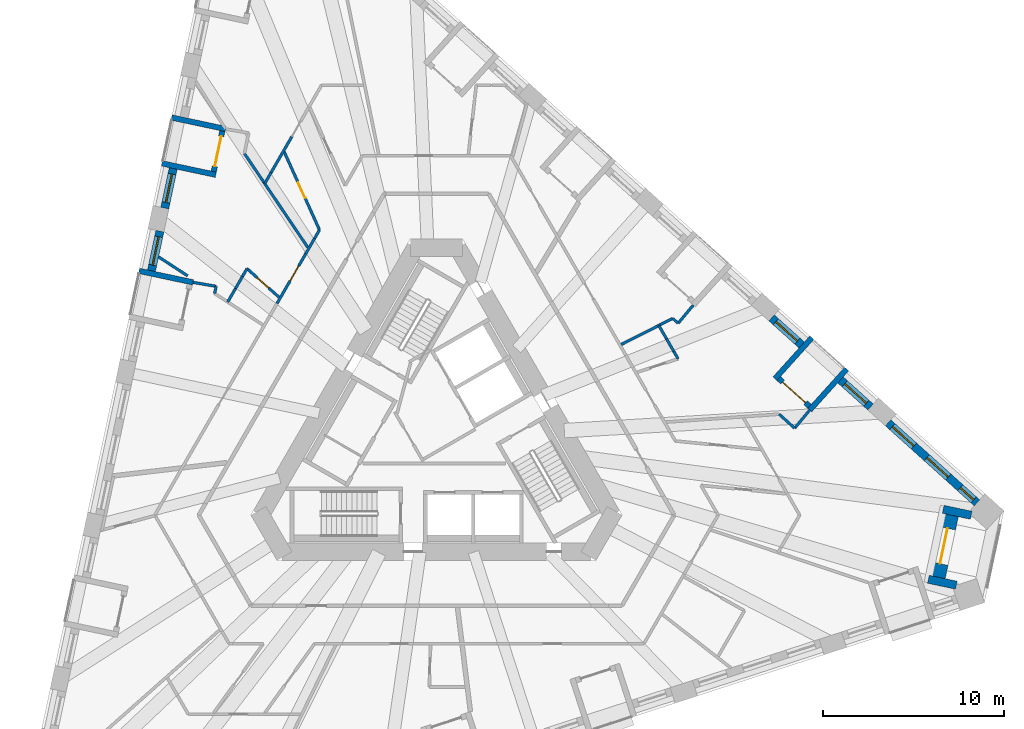
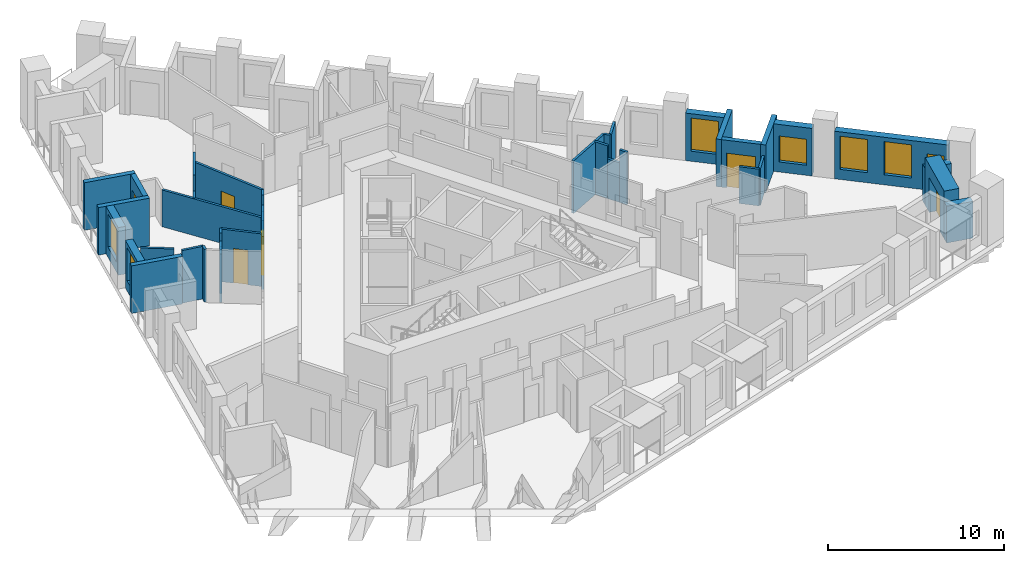
# One storey, part 7 of 13: 37 walls, 7 windows, 6 doors, 13 openings.
"""IFC4 building model written with IfcOpenShell, lengths in metres."""

from ifc_helpers import new_model, si_unit, direction, frame, frame_2d, origin, place, context, subcontext, project, spatial, rectangle, extrude, material, layer, layer_set, type_object, element, fill, save


model = new_model("IFC4")

# Units and contexts
model_context = context("Model", 3, precision=1e-05, world=origin(), true_north=direction((0.0, 1.0)))
body_context = subcontext(model_context, "Body", "Model", "MODEL_VIEW")
ifc_project = project(units=[si_unit("LENGTHUNIT", "METRE"), si_unit("AREAUNIT", "SQUARE_METRE"), si_unit("VOLUMEUNIT", "CUBIC_METRE"), si_unit("PLANEANGLEUNIT", "RADIAN"), si_unit("MASSUNIT", "GRAM", prefix="KILO")], contexts=[model_context])

# Site, building, storey
site_placement = place(None, origin())
site = spatial("IfcSite", under=ifc_project, at=site_placement, CompositionType="ELEMENT")
building_placement = place(site_placement, origin())
building = spatial("IfcBuilding", under=site, at=building_placement, Name="Tramontana Tower", CompositionType="ELEMENT")
storey_placement = place(building_placement, frame((0.0, 0.0, 108.39990234375)))
storey = spatial("IfcBuildingStorey", under=building, at=storey_placement, Name="L24", CompositionType="ELEMENT", Elevation=108.39990234375)

# Wall, opening, window
ifc_material_1 = material(Name="Precast concrete 60 MPa", Category="concrete")
ifc_layer_1 = layer(ifc_material_1, 0.449951171875)
ifc_layer_set_1 = layer_set([ifc_layer_1], Name="Precast concrete 60 MPa, 450 mm")
wall_type_1 = type_object("IfcWallType", Name="EW1 Stone-faced precast wall 450", PredefinedType="SOLIDWALL", material=ifc_layer_set_1)
wall_1_placement = place(storey_placement, frame((-14.545654296875, 14.896728515625, 0.0), z_axis=(0.0, 0.0, 1.0), x_axis=(-0.207941001029, -0.978141370197, 0.0)))
wall_1 = element("IfcWall", 1, at=wall_1_placement, inside=storey, type_object=wall_type_1, Name="External wall L24 face 0 bay 2", PredefinedType="SOLIDWALL", context=body_context, shape_type="SweptSolid", body=[
    extrude(rectangle(XDim=2.236572265625, YDim=0.449951171875, at=frame_2d((1.1181640625, 0.0))), origin(), (0.0, 0.0, 1.0), 3.300048828125),
])
opening_1_placement = place(wall_1_placement, frame((0.318359375, 0.0, 0.699951171875)))
opening_1 = element("IfcOpeningElement", 2, at=opening_1_placement, cuts=wall_1, Name="Opening M1", PredefinedType="OPENING", context=body_context, shape_type="SweptSolid", body=[
    extrude(rectangle(XDim=1.60009765625, YDim=2.300048828125, at=frame_2d((0.800048828125, 1.14990234375))), frame((0.0, 0.23486328125, 0.0), z_axis=(0.0, -1.0, 0.0), x_axis=(1.0, 0.0, 0.0)), (0.0, 0.0, 1.0), 0.469970703125),
])
ifc_material_2 = material(Name="Aluminum frame, double glazing unit", Category="aluminium")
window_type_1 = type_object("IfcWindowType", Name="M1 Window 1.6 x 2.3", PartitioningType="SINGLE_PANEL", PredefinedType="WINDOW", material=ifc_material_2)
window_1_placement = place(opening_1_placement, origin())
window_1 = element("IfcWindow", 3, at=window_1_placement, inside=storey, type_object=window_type_1, Name="Window M1 L24 face 0 module 6", OverallHeight=2.300048828125, OverallWidth=1.60009765625, PartitioningType="SINGLE_PANEL", PredefinedType="WINDOW", context=body_context, shape_type="SweptSolid", body=[
    extrude(rectangle(XDim=1.60009765625, YDim=2.300048828125, at=frame_2d((0.800048828125, 1.14990234375))), frame((0.0, 0.030029296875, 0.0), z_axis=(0.0, -1.0, 0.0), x_axis=(1.0, 0.0, 0.0)), (0.0, 0.0, 1.0), 0.06005859375),
])
fill(opening_1, window_1)

wall_2_placement = place(storey_placement, frame((-15.281005859375, 11.437255859375, 0.0), z_axis=(0.0, 0.0, 1.0), x_axis=(-0.207941001029, -0.978141370197, 0.0)))
wall_2 = element("IfcWall", 4, at=wall_2_placement, inside=storey, type_object=wall_type_1, Name="External wall L24 face 0 bay 3", PredefinedType="SOLIDWALL", context=body_context, shape_type="SweptSolid", body=[
    extrude(rectangle(XDim=2.236572265625, YDim=0.449951171875, at=frame_2d((1.1181640625, 0.0))), origin(), (0.0, 0.0, 1.0), 3.300048828125),
])
opening_2_placement = place(wall_2_placement, frame((0.318359375, 0.0, 0.699951171875)))
opening_2 = element("IfcOpeningElement", 5, at=opening_2_placement, cuts=wall_2, Name="Opening M1", PredefinedType="OPENING", context=body_context, shape_type="SweptSolid", body=[
    extrude(rectangle(XDim=1.60009765625, YDim=2.300048828125, at=frame_2d((0.800048828125, 1.14990234375))), frame((0.0, 0.23486328125, 0.0), z_axis=(0.0, -1.0, 0.0), x_axis=(1.0, 0.0, 0.0)), (0.0, 0.0, 1.0), 0.469970703125),
])
window_2_placement = place(opening_2_placement, origin())
window_2 = element("IfcWindow", 6, at=window_2_placement, inside=storey, type_object=window_type_1, Name="Window M1 L24 face 0 module 7", OverallHeight=2.300048828125, OverallWidth=1.60009765625, PartitioningType="SINGLE_PANEL", PredefinedType="WINDOW", context=body_context, shape_type="SweptSolid", body=[
    extrude(rectangle(XDim=1.60009765625, YDim=2.300048828125, at=frame_2d((0.800048828125, 1.14990234375))), frame((0.0, 0.030029296875, 0.0), z_axis=(0.0, -1.0, 0.0), x_axis=(1.0, 0.0, 0.0)), (0.0, 0.0, 1.0), 0.06005859375),
])
fill(opening_2, window_2)

# Wall, openings, windows
wall_3_placement = place(storey_placement, frame((29.85986328125, -3.57275390625, 0.0), z_axis=(0.0, 0.0, 1.0), x_axis=(-0.743161908204, 0.669111633582, 0.0)))
wall_3 = element("IfcWall", 7, at=wall_3_placement, inside=storey, type_object=wall_type_1, Name="External wall L24 face 2 bay 1", PredefinedType="SOLIDWALL", context=body_context, shape_type="SweptSolid", body=[
    extrude(rectangle(XDim=6.6103515625, YDim=0.449951171875, at=frame_2d((3.30517578125, 0.0))), origin(), (0.0, 0.0, 1.0), 3.300048828125),
])
opening_3_placement = place(wall_3_placement, frame((0.243408203125, 0.0, 0.699951171875)))
opening_3 = element("IfcOpeningElement", 8, at=opening_3_placement, cuts=wall_3, Name="Opening N1L", PredefinedType="OPENING", context=body_context, shape_type="SweptSolid", body=[
    extrude(rectangle(XDim=1.0, YDim=1.800048828125, at=frame_2d((0.5, 0.89990234375))), frame((0.0, 0.23486328125, 0.0), z_axis=(0.0, -1.0, 0.0), x_axis=(1.0, 0.0, 0.0)), (0.0, 0.0, 1.0), 0.469970703125),
])
opening_4_placement = place(wall_3_placement, frame((2.130126953125, 0.0, 0.699951171875)))
opening_4 = element("IfcOpeningElement", 9, at=opening_4_placement, cuts=wall_3, Name="Opening M1", PredefinedType="OPENING", context=body_context, shape_type="SweptSolid", body=[
    extrude(rectangle(XDim=1.60009765625, YDim=2.300048828125, at=frame_2d((0.800048828125, 1.14990234375))), frame((0.0, 0.23486328125, 0.0), z_axis=(0.0, -1.0, 0.0), x_axis=(1.0, 0.0, 0.0)), (0.0, 0.0, 1.0), 0.469970703125),
])
opening_5_placement = place(wall_3_placement, frame((4.69189453125, 0.0, 0.699951171875)))
opening_5 = element("IfcOpeningElement", 10, at=opening_5_placement, cuts=wall_3, Name="Opening M1", PredefinedType="OPENING", context=body_context, shape_type="SweptSolid", body=[
    extrude(rectangle(XDim=1.60009765625, YDim=2.300048828125, at=frame_2d((0.800048828125, 1.14990234375))), frame((0.0, 0.23486328125, 0.0), z_axis=(0.0, -1.0, 0.0), x_axis=(1.0, 0.0, 0.0)), (0.0, 0.0, 1.0), 0.469970703125),
])
window_3_placement = place(opening_4_placement, origin())
window_3 = element("IfcWindow", 11, at=window_3_placement, inside=storey, type_object=window_type_1, Name="Window M1 L24 face 2 module 2", OverallHeight=2.300048828125, OverallWidth=1.60009765625, PartitioningType="SINGLE_PANEL", PredefinedType="WINDOW", context=body_context, shape_type="SweptSolid", body=[
    extrude(rectangle(XDim=1.60009765625, YDim=2.300048828125, at=frame_2d((0.800048828125, 1.14990234375))), frame((0.0, 0.030029296875, 0.0), z_axis=(0.0, -1.0, 0.0), x_axis=(1.0, 0.0, 0.0)), (0.0, 0.0, 1.0), 0.06005859375),
])
fill(opening_4, window_3)
window_4_placement = place(opening_5_placement, origin())
window_4 = element("IfcWindow", 12, at=window_4_placement, inside=storey, type_object=window_type_1, Name="Window M1 L24 face 2 module 3", OverallHeight=2.300048828125, OverallWidth=1.60009765625, PartitioningType="SINGLE_PANEL", PredefinedType="WINDOW", context=body_context, shape_type="SweptSolid", body=[
    extrude(rectangle(XDim=1.60009765625, YDim=2.300048828125, at=frame_2d((0.800048828125, 1.14990234375))), frame((0.0, 0.030029296875, 0.0), z_axis=(0.0, -1.0, 0.0), x_axis=(1.0, 0.0, 0.0)), (0.0, 0.0, 1.0), 0.06005859375),
])
fill(opening_5, window_4)
ifc_material_3 = material(Name="Aluminum frame, double glazing unit", Category="aluminium")
window_type_2 = type_object("IfcWindowType", Name="N1L Window 1 x 1.8", PartitioningType="SINGLE_PANEL", PredefinedType="WINDOW", material=ifc_material_3)
window_5_placement = place(opening_3_placement, origin())
window_5 = element("IfcWindow", 13, at=window_5_placement, inside=storey, type_object=window_type_2, Name="Window N1L L24 face 2 module 1", OverallHeight=1.800048828125, OverallWidth=1.0, PartitioningType="SINGLE_PANEL", PredefinedType="WINDOW", context=body_context, shape_type="SweptSolid", body=[
    extrude(rectangle(XDim=1.0, YDim=1.800048828125, at=frame_2d((0.5, 0.89990234375))), frame((0.0, 0.030029296875, 0.0), z_axis=(0.0, -1.0, 0.0), x_axis=(1.0, 0.0, 0.0)), (0.0, 0.0, 1.0), 0.06005859375),
])
fill(opening_3, window_5)

# Wall, opening, window
wall_4_placement = place(storey_placement, frame((23.981201171875, 1.72021484375, 0.0), z_axis=(0.0, 0.0, 1.0), x_axis=(-0.743142151309, 0.669133576311, 0.0)))
wall_4 = element("IfcWall", 14, at=wall_4_placement, inside=storey, type_object=wall_type_1, Name="External wall L24 face 2 bay 2", PredefinedType="SOLIDWALL", context=body_context, shape_type="SweptSolid", body=[
    extrude(rectangle(XDim=2.236572265625, YDim=0.449951171875, at=frame_2d((1.1181640625, 0.0))), origin(), (0.0, 0.0, 1.0), 3.300048828125),
])
opening_6_placement = place(wall_4_placement, frame((0.318359375, 0.0, 0.699951171875)))
opening_6 = element("IfcOpeningElement", 15, at=opening_6_placement, cuts=wall_4, Name="Opening M1L", PredefinedType="OPENING", context=body_context, shape_type="SweptSolid", body=[
    extrude(rectangle(XDim=1.60009765625, YDim=1.800048828125, at=frame_2d((0.800048828125, 0.89990234375))), frame((0.0, 0.23486328125, 0.0), z_axis=(0.0, -1.0, 0.0), x_axis=(1.0, 0.0, 0.0)), (0.0, 0.0, 1.0), 0.469970703125),
])
ifc_material_4 = material(Name="Aluminum frame, double glazing unit", Category="aluminium")
window_type_3 = type_object("IfcWindowType", Name="M1L Window 1.6 x 1.8", PartitioningType="SINGLE_PANEL", PredefinedType="WINDOW", material=ifc_material_4)
window_6_placement = place(opening_6_placement, origin())
window_6 = element("IfcWindow", 16, at=window_6_placement, inside=storey, type_object=window_type_3, Name="Window M1L L24 face 2 module 4", OverallHeight=1.800048828125, OverallWidth=1.60009765625, PartitioningType="SINGLE_PANEL", PredefinedType="WINDOW", context=body_context, shape_type="SweptSolid", body=[
    extrude(rectangle(XDim=1.60009765625, YDim=1.800048828125, at=frame_2d((0.800048828125, 0.89990234375))), frame((0.0, 0.030029296875, 0.0), z_axis=(0.0, -1.0, 0.0), x_axis=(1.0, 0.0, 0.0)), (0.0, 0.0, 1.0), 0.06005859375),
])
fill(opening_6, window_6)

wall_5_placement = place(storey_placement, frame((20.173828125, 5.1484375, 0.0), z_axis=(0.0, 0.0, 1.0), x_axis=(-0.743136746477, 0.669139578889, 0.0)))
wall_5 = element("IfcWall", 17, at=wall_5_placement, inside=storey, type_object=wall_type_1, Name="External wall L24 face 2 bay 2", PredefinedType="SOLIDWALL", context=body_context, shape_type="SweptSolid", body=[
    extrude(rectangle(XDim=2.237060546875, YDim=0.449951171875, at=frame_2d((1.11865234375, 0.0))), origin(), (0.0, 0.0, 1.0), 3.300048828125),
])
opening_7_placement = place(wall_5_placement, frame((0.318359375, 0.0, 0.699951171875)))
opening_7 = element("IfcOpeningElement", 18, at=opening_7_placement, cuts=wall_5, Name="Opening M1", PredefinedType="OPENING", context=body_context, shape_type="SweptSolid", body=[
    extrude(rectangle(XDim=1.60009765625, YDim=2.300048828125, at=frame_2d((0.800048828125, 1.14990234375))), frame((0.0, 0.23486328125, 0.0), z_axis=(0.0, -1.0, 0.0), x_axis=(1.0, 0.0, 0.0)), (0.0, 0.0, 1.0), 0.469970703125),
])
window_7_placement = place(opening_7_placement, origin())
window_7 = element("IfcWindow", 19, at=window_7_placement, inside=storey, type_object=window_type_1, Name="Window M1 L24 face 2 module 6", OverallHeight=2.300048828125, OverallWidth=1.60009765625, PartitioningType="SINGLE_PANEL", PredefinedType="WINDOW", context=body_context, shape_type="SweptSolid", body=[
    extrude(rectangle(XDim=1.60009765625, YDim=2.300048828125, at=frame_2d((0.800048828125, 1.14990234375))), frame((0.0, 0.030029296875, 0.0), z_axis=(0.0, -1.0, 0.0), x_axis=(1.0, 0.0, 0.0)), (0.0, 0.0, 1.0), 0.06005859375),
])
fill(opening_7, window_7)

# Walls
for number, where, z_axis, x_axis, name in (
    (20, (29.5390625, -4.259521484375, 0.0), (0.0, 0.0, 1.0), (-0.978142738706, 0.207934563547, 0.0), "Corner loggia side wall L24 K22l"),
    (21, (28.7177734375, -8.123291015625, 0.0), (0.0, 0.0, 1.0), (-0.978142738706, 0.207934563547, 0.0), "Corner loggia side wall L24 K22r"),
):
    element("IfcWall", number, at=place(storey_placement, frame(where, z_axis=z_axis, x_axis=x_axis)), inside=storey, type_object=wall_type_1, Name=name, PredefinedType="SOLIDWALL", context=body_context, shape_type="SweptSolid", body=[
        extrude(rectangle(XDim=1.5791015625, YDim=0.449951171875, at=frame_2d((0.78955078125, 0.0))), origin(), (0.0, 0.0, 1.0), 2.550048828125),
    ])

# Wall, opening, door
ifc_material_5 = material(Name="Precast concrete 60 MPa", Category="concrete")
ifc_layer_2 = layer(ifc_material_5, 0.89990234375)
ifc_layer_set_2 = layer_set([ifc_layer_2], Name="EW2 Stone-faced corner loggia wall 900")
wall_type_2 = type_object("IfcWallType", Name="EW2 Stone-faced corner loggia wall 900", PredefinedType="SOLIDWALL", material=ifc_layer_set_2)
wall_6_placement = place(storey_placement, frame((28.3876953125, -4.244873046875, 0.0), z_axis=(0.0, 0.0, 1.0), x_axis=(-0.207866264069, -0.978157255385, 0.0)))
wall_6 = element("IfcWall", 22, at=wall_6_placement, inside=storey, type_object=wall_type_2, Name="Corner loggia wall L24 K22", PredefinedType="SOLIDWALL", context=body_context, shape_type="SweptSolid", body=[
    extrude(rectangle(XDim=3.5, YDim=0.89990234375, at=frame_2d((1.75, 0.0))), origin(), (0.0, 0.0, 1.0), 3.300048828125),
])
opening_8_placement = place(wall_6_placement, frame((0.75, 0.0, 0.0)))
opening_8 = element("IfcOpeningElement", 23, at=opening_8_placement, cuts=wall_6, Name="Opening BD-22C", PredefinedType="OPENING", context=body_context, shape_type="SweptSolid", body=[
    extrude(rectangle(XDim=2.0, YDim=2.39990234375, at=frame_2d((1.0, 1.199951171875))), frame((0.0, 0.4599609375, 0.0), z_axis=(0.0, -1.0, 0.0), x_axis=(1.0, 0.0, 0.0)), (0.0, 0.0, 1.0), 0.919921875),
])
ifc_material_6 = material(Name="Aluminum frame, double glazing unit", Category="aluminium")
door_type_1 = type_object("IfcDoorType", Name="BC1 Sliding door 2 x 2.4", OperationType="SLIDING_TO_LEFT", PredefinedType="DOOR", material=ifc_material_6)
door_1_placement = place(opening_8_placement, origin())
door_1 = element("IfcDoor", 24, at=door_1_placement, inside=storey, type_object=door_type_1, Name="Corner loggia door L24 K22", OperationType="SLIDING_TO_LEFT", OverallHeight=2.39990234375, OverallWidth=2.0, PredefinedType="DOOR", context=body_context, shape_type="SweptSolid", body=[
    extrude(rectangle(XDim=2.0, YDim=2.39990234375, at=frame_2d((1.0, 1.199951171875))), frame((0.0, 0.02490234375, 0.0), z_axis=(0.0, -1.0, 0.0), x_axis=(1.0, 0.0, 0.0)), (0.0, 0.0, 1.0), 0.050048828125),
])
fill(opening_8, door_1)

ifc_material_7 = material(Name="Precast concrete 60 MPa", Category="concrete")
ifc_layer_3 = layer(ifc_material_7, 0.300048828125)
ifc_layer_set_3 = layer_set([ifc_layer_3], Name="LW1 Stone-faced loggia wall 300")
wall_type_3 = type_object("IfcWallType", Name="LW1 Stone-faced loggia wall 300", PredefinedType="SOLIDWALL", material=ifc_layer_set_3)
wall_7_placement = place(storey_placement, frame((-11.83154296875, 16.96435546875, 0.0), z_axis=(0.0, 0.0, 1.0), x_axis=(-0.207866417042, -0.978157222877, 0.0)))
wall_7 = element("IfcWall", 25, at=wall_7_placement, inside=storey, type_object=wall_type_3, Name="Loggia wall L24 G2S0.4", PredefinedType="SOLIDWALL", context=body_context, shape_type="SweptSolid", body=[
    extrude(rectangle(XDim=2.286865234375, YDim=0.300048828125, at=frame_2d((1.1435546875, 0.0))), origin(), (0.0, 0.0, 1.0), 3.300048828125),
])
opening_9_placement = place(wall_7_placement, frame((0.29345703125, 0.0, 0.0)))
opening_9 = element("IfcOpeningElement", 26, at=opening_9_placement, cuts=wall_7, Name="Opening BD-2S0-04", PredefinedType="OPENING", context=body_context, shape_type="SweptSolid", body=[
    extrude(rectangle(XDim=1.699951171875, YDim=2.39990234375, at=frame_2d((0.85009765625, 1.199951171875))), frame((0.0, 0.159912109375, 0.0), z_axis=(0.0, -1.0, 0.0), x_axis=(1.0, 0.0, 0.0)), (0.0, 0.0, 1.0), 0.320068359375),
])
ifc_material_8 = material(Name="Aluminum frame, double glazing unit", Category="aluminium")
door_type_2 = type_object("IfcDoorType", Name="BD1 Sliding door 1.7 x 2.4", OperationType="SLIDING_TO_LEFT", PredefinedType="DOOR", material=ifc_material_8)
door_2_placement = place(opening_9_placement, origin())
door_2 = element("IfcDoor", 27, at=door_2_placement, inside=storey, type_object=door_type_2, Name="Loggia door L24 G2S0.4", OperationType="SLIDING_TO_LEFT", OverallHeight=2.39990234375, OverallWidth=1.699951171875, PredefinedType="DOOR", context=body_context, shape_type="SweptSolid", body=[
    extrude(rectangle(XDim=1.699951171875, YDim=2.39990234375, at=frame_2d((0.85009765625, 1.199951171875))), frame((0.0, 0.02490234375, 0.0), z_axis=(0.0, -1.0, 0.0), x_axis=(1.0, 0.0, 0.0)), (0.0, 0.0, 1.0), 0.050048828125),
])
fill(opening_9, door_2)

# Walls
for number, where, z_axis, x_axis, name in (
    (28, (-14.636962890625, 17.714111328125, 0.0), (0.0, 0.0, 1.0), (0.978138503145, -0.207954487003, 0.0), "Loggia return L24 G2S0.4a"),
    (29, (-15.1748046875, 15.183837890625, 0.0), (0.0, 0.0, 1.0), (0.978138503145, -0.207954487003, 0.0), "Loggia return L24 G2S0.4b"),
    (30, (-16.4375, 9.242919921875, 0.0), (0.0, 0.0, 1.0), (0.978154782045, -0.207877902534, 0.0), "Loggia return L24 G2S0.7a"),
):
    element("IfcWall", number, at=place(storey_placement, frame(where, z_axis=z_axis, x_axis=x_axis)), inside=storey, type_object=wall_type_3, Name=name, PredefinedType="SOLIDWALL", context=body_context, shape_type="SweptSolid", body=[
        extrude(rectangle(XDim=3.050048828125, YDim=0.300048828125, at=frame_2d((1.52490234375, 0.0))), origin(), (0.0, 0.0, 1.0), 3.300048828125),
    ])

# Wall, opening, door
wall_8_placement = place(storey_placement, frame((20.607421875, 1.76416015625, 0.0), z_axis=(0.0, 0.0, 1.0), x_axis=(-0.743182653308, 0.669088591909, 0.0)))
wall_8 = element("IfcWall", 31, at=wall_8_placement, inside=storey, type_object=wall_type_3, Name="Loggia wall L24 G2S2.4", PredefinedType="SOLIDWALL", context=body_context, shape_type="SweptSolid", body=[
    extrude(rectangle(XDim=2.28662109375, YDim=0.300048828125, at=frame_2d((1.143310546875, 0.0))), origin(), (0.0, 0.0, 1.0), 3.300048828125),
])
opening_10_placement = place(wall_8_placement, frame((0.29345703125, 0.0, 0.0)))
opening_10 = element("IfcOpeningElement", 32, at=opening_10_placement, cuts=wall_8, Name="Opening BD-2S2-04", PredefinedType="OPENING", context=body_context, shape_type="SweptSolid", body=[
    extrude(rectangle(XDim=1.699951171875, YDim=2.39990234375, at=frame_2d((0.85009765625, 1.199951171875))), frame((0.0, 0.159912109375, 0.0), z_axis=(0.0, -1.0, 0.0), x_axis=(1.0, 0.0, 0.0)), (0.0, 0.0, 1.0), 0.320068359375),
])
door_3_placement = place(opening_10_placement, origin())
door_3 = element("IfcDoor", 33, at=door_3_placement, inside=storey, type_object=door_type_2, Name="Loggia door L24 G2S2.4", OperationType="SLIDING_TO_LEFT", OverallHeight=2.39990234375, OverallWidth=1.699951171875, PredefinedType="DOOR", context=body_context, shape_type="SweptSolid", body=[
    extrude(rectangle(XDim=1.699951171875, YDim=2.39990234375, at=frame_2d((0.85009765625, 1.199951171875))), frame((0.0, 0.02490234375, 0.0), z_axis=(0.0, -1.0, 0.0), x_axis=(1.0, 0.0, 0.0)), (0.0, 0.0, 1.0), 0.050048828125),
])
fill(opening_10, door_3)

# Walls
for number, where, z_axis, x_axis, name in (
    (34, (22.6591796875, 3.81884765625, 0.0), (0.0, 0.0, 1.0), (-0.669115082961, -0.743158802514, 0.0), "Loggia return L24 G2S2.4a"),
    (35, (20.73681640625, 5.5498046875, 0.0), (0.0, 0.0, 1.0), (-0.669115082961, -0.743158802514, 0.0), "Loggia return L24 G2S2.4b"),
):
    element("IfcWall", number, at=place(storey_placement, frame(where, z_axis=z_axis, x_axis=x_axis)), inside=storey, type_object=wall_type_3, Name=name, PredefinedType="SOLIDWALL", context=body_context, shape_type="SweptSolid", body=[
        extrude(rectangle(XDim=3.050048828125, YDim=0.300048828125, at=frame_2d((1.52490234375, 0.0))), origin(), (0.0, 0.0, 1.0), 3.300048828125),
    ])

# Wall, opening, door
ifc_material_9 = material(Name="Gypsum board partition")
ifc_layer_4 = layer(ifc_material_9, 0.14990234375)
ifc_layer_set_4 = layer_set([ifc_layer_4], Name="PARTITION 150")
wall_type_4 = type_object("IfcWallType", Name="PARTITION 150", PredefinedType="PARTITIONING", material=ifc_layer_set_4)
wall_9_placement = place(storey_placement, frame((-8.809326171875, 7.44189453125, 0.0), z_axis=(0.0, 0.0, 1.0), x_axis=(0.500003371769, 0.866023457084, 0.0)))
wall_9 = element("IfcWall", 36, at=wall_9_placement, inside=storey, type_object=wall_type_4, Name="Wall v21-pw02-5", PredefinedType="PARTITIONING", context=body_context, shape_type="SweptSolid", body=[
    extrude(rectangle(XDim=3.15966796875, YDim=0.14990234375, at=frame_2d((1.579833984375, 0.0))), origin(), (0.0, 0.0, 1.0), 3.650146484375),
])
opening_11_placement = place(wall_9_placement, frame((1.43994140625, 0.0, 0.0)))
opening_11 = element("IfcOpeningElement", 37, at=opening_11_placement, cuts=wall_9, Name="Opening B2B-06", PredefinedType="OPENING", context=body_context, shape_type="SweptSolid", body=[
    extrude(rectangle(XDim=0.949951171875, YDim=2.39990234375, at=frame_2d((0.47509765625, 1.199951171875))), frame((0.0, 0.0849609375, 0.0), z_axis=(0.0, -1.0, 0.0), x_axis=(1.0, 0.0, 0.0)), (0.0, 0.0, 1.0), 0.169921875),
])
ifc_material_10 = material(Name="Painted timber", Category="wood")
door_type_3 = type_object("IfcDoorType", Name="DOOR ROOM 950", OperationType="SINGLE_SWING_LEFT", PredefinedType="DOOR", material=ifc_material_10)
door_4_placement = place(opening_11_placement, origin())
door_4 = element("IfcDoor", 38, at=door_4_placement, inside=storey, type_object=door_type_3, Name="Door B2B-06", OperationType="SINGLE_SWING_RIGHT", OverallHeight=2.39990234375, OverallWidth=0.949951171875, PredefinedType="DOOR", context=body_context, shape_type="SweptSolid", body=[
    extrude(rectangle(XDim=0.949951171875, YDim=2.39990234375, at=frame_2d((0.47509765625, 1.199951171875))), frame((0.0, 0.02490234375, 0.0), z_axis=(0.0, -1.0, 0.0), x_axis=(1.0, 0.0, 0.0)), (0.0, 0.0, 1.0), 0.050048828125),
])
fill(opening_11, door_4)

# Walls
wall_10_placement = place(storey_placement, frame((-7.2294921875, 10.17822265625, 0.0), z_axis=(0.0, 0.0, 1.0), x_axis=(0.500082280366, 0.865977893981, 0.0)))
element("IfcWall", 39, at=wall_10_placement, inside=storey, type_object=wall_type_4, Name="Wall v21-pw02-6", PredefinedType="PARTITIONING", context=body_context, shape_type="SweptSolid", body=[
    extrude(rectangle(XDim=0.978759765625, YDim=0.14990234375, at=frame_2d((0.4892578125, 0.0))), origin(), (0.0, 0.0, 1.0), 2.550048828125),
])
wall_11_placement = place(storey_placement, frame((-6.739990234375, 11.02587890625, 0.0), z_axis=(0.0, 0.0, 1.0), x_axis=(0.499990325971, 0.866030989016, 0.0)))
element("IfcWall", 40, at=wall_11_placement, inside=storey, type_object=wall_type_4, Name="Wall v21-pw02-7", PredefinedType="PARTITIONING", context=body_context, shape_type="SweptSolid", body=[
    extrude(rectangle(XDim=0.55224609375, YDim=0.14990234375, at=frame_2d((0.276123046875, 0.0))), origin(), (0.0, 0.0, 1.0), 3.650146484375),
])
wall_12_placement = place(storey_placement, frame((-13.74853515625, 8.968017578125, 0.0), z_axis=(0.0, 0.0, 1.0), x_axis=(-0.837595386073, 0.546291103011, 0.0)))
element("IfcWall", 41, at=wall_12_placement, inside=storey, type_object=wall_type_4, Name="Wall v21-pw04", PredefinedType="PARTITIONING", context=body_context, shape_type="SweptSolid", body=[
    extrude(rectangle(XDim=1.915771484375, YDim=0.14990234375, at=frame_2d((0.9580078125, 0.0))), origin(), (0.0, 0.0, 1.0), 3.650146484375),
])
wall_13_placement = place(storey_placement, frame((-12.255615234375, 7.994140625, 0.0), z_axis=(0.0, 0.0, 1.0), x_axis=(0.207946274886, 0.978140249024, 0.0)))
element("IfcWall", 42, at=wall_13_placement, inside=storey, type_object=wall_type_4, Name="Wall v21-pw07", PredefinedType="PARTITIONING", context=body_context, shape_type="SweptSolid", body=[
    extrude(rectangle(XDim=0.400390625, YDim=0.14990234375, at=frame_2d((0.2001953125, 0.0))), origin(), (0.0, 0.0, 1.0), 3.650146484375),
])
wall_14_placement = place(storey_placement, frame((-12.173828125, 8.38818359375, 0.0), z_axis=(0.0, 0.0, 1.0), x_axis=(-0.985464455429, 0.169881744414, 0.0)))
element("IfcWall", 43, at=wall_14_placement, inside=storey, type_object=wall_type_4, Name="Wall v21-pw08", PredefinedType="PARTITIONING", context=body_context, shape_type="SweptSolid", body=[
    extrude(rectangle(XDim=1.299072265625, YDim=0.14990234375, at=frame_2d((0.6494140625, 0.0))), origin(), (0.0, 0.0, 1.0), 3.650146484375),
])
wall_15_placement = place(storey_placement, frame((-11.53271484375, 7.52490234375, 0.0), z_axis=(0.0, 0.0, 1.0), x_axis=(0.500068347527, 0.865985939725, 0.0)))
element("IfcWall", 44, at=wall_15_placement, inside=storey, type_object=wall_type_4, Name="Wall v21-pw11-0", PredefinedType="PARTITIONING", context=body_context, shape_type="SweptSolid", body=[
    extrude(rectangle(XDim=0.85546875, YDim=0.14990234375, at=frame_2d((0.427734375, 0.0))), origin(), (0.0, 0.0, 1.0), 3.650146484375),
])
wall_16_placement = place(storey_placement, frame((-11.10498046875, 8.265625, 0.0), z_axis=(0.0, 0.0, 1.0), x_axis=(0.500028278809, 0.866009076391, 0.0)))
element("IfcWall", 45, at=wall_16_placement, inside=storey, type_object=wall_type_4, Name="Wall v21-pw11-1", PredefinedType="PARTITIONING", context=body_context, shape_type="SweptSolid", body=[
    extrude(rectangle(XDim=0.783203125, YDim=0.14990234375, at=frame_2d((0.3916015625, 0.0))), origin(), (0.0, 0.0, 1.0), 2.75),
])
wall_17_placement = place(storey_placement, frame((-10.71337890625, 8.94384765625, 0.0), z_axis=(0.0, 0.0, 1.0), x_axis=(0.500095379624, 0.865970329329, 0.0)))
element("IfcWall", 46, at=wall_17_placement, inside=storey, type_object=wall_type_4, Name="Wall v21-pw11-2", PredefinedType="PARTITIONING", context=body_context, shape_type="SweptSolid", body=[
    extrude(rectangle(XDim=0.4912109375, YDim=0.14990234375, at=frame_2d((0.24560546875, 0.0))), origin(), (0.0, 0.0, 1.0), 3.650146484375),
])

# Wall, opening, door
wall_18_placement = place(storey_placement, frame((-8.69775390625, 7.784912109375, 0.0), z_axis=(0.0, 0.0, 1.0), x_axis=(-0.745131095097, 0.666918024288, 0.0)))
wall_18 = element("IfcWall", 47, at=wall_18_placement, inside=storey, type_object=wall_type_4, Name="Wall v21-pw14", PredefinedType="PARTITIONING", context=body_context, shape_type="SweptSolid", body=[
    extrude(rectangle(XDim=2.37548828125, YDim=0.14990234375, at=frame_2d((1.187744140625, 0.0))), origin(), (0.0, 0.0, 1.0), 3.650146484375),
])
opening_12_placement = place(wall_18_placement, frame((0.7626953125, 0.0, 0.0)))
opening_12 = element("IfcOpeningElement", 48, at=opening_12_placement, cuts=wall_18, Name="Opening B2B-09", PredefinedType="OPENING", context=body_context, shape_type="SweptSolid", body=[
    extrude(rectangle(XDim=0.85009765625, YDim=2.39990234375, at=frame_2d((0.425048828125, 1.199951171875))), frame((0.0, 0.0849609375, 0.0), z_axis=(0.0, -1.0, 0.0), x_axis=(1.0, 0.0, 0.0)), (0.0, 0.0, 1.0), 0.169921875),
])
ifc_material_11 = material(Name="Painted timber", Category="wood")
door_type_4 = type_object("IfcDoorType", Name="DOOR BATH 850", OperationType="SINGLE_SWING_LEFT", PredefinedType="DOOR", material=ifc_material_11)
door_5_placement = place(opening_12_placement, origin())
door_5 = element("IfcDoor", 49, at=door_5_placement, inside=storey, type_object=door_type_4, Name="Door B2B-09", OperationType="SINGLE_SWING_LEFT", OverallHeight=2.39990234375, OverallWidth=0.85009765625, PredefinedType="DOOR", context=body_context, shape_type="SweptSolid", body=[
    extrude(rectangle(XDim=0.85009765625, YDim=2.39990234375, at=frame_2d((0.425048828125, 1.199951171875))), frame((0.0, 0.02490234375, 0.0), z_axis=(0.0, -1.0, 0.0), x_axis=(1.0, 0.0, 0.0)), (0.0, 0.0, 1.0), 0.050048828125),
])
fill(opening_12, door_5)

# Walls
wall_19_placement = place(storey_placement, frame((-9.4873046875, 14.0673828125, 0.0), z_axis=(0.0, 0.0, 1.0), x_axis=(0.499844169366, 0.866115353951, 0.0)))
element("IfcWall", 50, at=wall_19_placement, inside=storey, type_object=wall_type_4, Name="Wall v21-pw18-0", PredefinedType="PARTITIONING", context=body_context, shape_type="SweptSolid", body=[
    extrude(rectangle(XDim=0.694580078125, YDim=0.14990234375, at=frame_2d((0.34716796875, 0.0))), origin(), (0.0, 0.0, 1.0), 2.550048828125),
])
wall_20_placement = place(storey_placement, frame((-9.14013671875, 14.6689453125, 0.0), z_axis=(0.0, 0.0, 1.0), x_axis=(0.500030411023, 0.86600784526, 0.0)))
element("IfcWall", 51, at=wall_20_placement, inside=storey, type_object=wall_type_4, Name="Wall v21-pw18-1", PredefinedType="PARTITIONING", context=body_context, shape_type="SweptSolid", body=[
    extrude(rectangle(XDim=2.287353515625, YDim=0.14990234375, at=frame_2d((1.1435546875, 0.0))), origin(), (0.0, 0.0, 1.0), 3.650146484375),
])
wall_21_placement = place(storey_placement, frame((-7.10888671875, 10.536865234375, 0.0), z_axis=(0.0, 0.0, 1.0), x_axis=(-0.559306796717, 0.828960739207, 0.0)))
element("IfcWall", 52, at=wall_21_placement, inside=storey, type_object=wall_type_4, Name="Wall v21-pw23-0", PredefinedType="PARTITIONING", context=body_context, shape_type="SweptSolid", body=[
    extrude(rectangle(XDim=6.262451171875, YDim=0.14990234375, at=frame_2d((3.13134765625, 0.0))), origin(), (0.0, 0.0, 1.0), 2.550048828125),
])

# Wall, opening, door
wall_22_placement = place(storey_placement, frame((-6.4638671875, 11.506103515625, 0.0), z_axis=(0.0, 0.0, 1.0), x_axis=(-0.411930406863, 0.911215309299, 0.0)))
wall_22 = element("IfcWall", 53, at=wall_22_placement, inside=storey, type_object=wall_type_4, Name="Wall v21-pw26", PredefinedType="PARTITIONING", context=body_context, shape_type="SweptSolid", body=[
    extrude(rectangle(XDim=4.7958984375, YDim=0.14990234375, at=frame_2d((2.39794921875, 0.0))), origin(), (0.0, 0.0, 1.0), 3.650146484375),
])
opening_13_placement = place(wall_22_placement, frame((1.923095703125, 0.0, 0.0)))
opening_13 = element("IfcOpeningElement", 54, at=opening_13_placement, cuts=wall_22, Name="Opening B2B-01", PredefinedType="OPENING", context=body_context, shape_type="SweptSolid", body=[
    extrude(rectangle(XDim=0.949951171875, YDim=2.39990234375, at=frame_2d((0.47509765625, 1.199951171875))), frame((0.0, 0.0849609375, 0.0), z_axis=(0.0, -1.0, 0.0), x_axis=(1.0, 0.0, 0.0)), (0.0, 0.0, 1.0), 0.169921875),
])
door_6_placement = place(opening_13_placement, origin())
door_6 = element("IfcDoor", 55, at=door_6_placement, inside=storey, type_object=door_type_3, Name="Door B2B-01", OperationType="SINGLE_SWING_LEFT", OverallHeight=2.39990234375, OverallWidth=0.949951171875, PredefinedType="DOOR", context=body_context, shape_type="SweptSolid", body=[
    extrude(rectangle(XDim=0.949951171875, YDim=2.39990234375, at=frame_2d((0.47509765625, 1.199951171875))), frame((0.0, 0.02490234375, 0.0), z_axis=(0.0, -1.0, 0.0), x_axis=(1.0, 0.0, 0.0)), (0.0, 0.0, 1.0), 0.050048828125),
])
fill(opening_13, door_6)

# Walls
wall_23_placement = place(storey_placement, frame((10.205322265625, 5.173828125, 0.0), z_axis=(0.0, 0.0, 1.0), x_axis=(0.891918503976, 0.452196176748, 0.0)))
element("IfcWall", 56, at=wall_23_placement, inside=storey, type_object=wall_type_4, Name="Wall v21-pw43", PredefinedType="PARTITIONING", context=body_context, shape_type="SweptSolid", body=[
    extrude(rectangle(XDim=3.190185546875, YDim=0.14990234375, at=frame_2d((1.59521484375, 0.0))), origin(), (0.0, 0.0, 1.0), 3.650146484375),
])
wall_24_placement = place(storey_placement, frame((12.28369140625, 6.22412109375, 0.0), z_axis=(0.0, 0.0, 1.0), x_axis=(0.499920397431, -0.866071357471, 0.0)))
element("IfcWall", 57, at=wall_24_placement, inside=storey, type_object=wall_type_4, Name="Wall v21-pw45-0", PredefinedType="PARTITIONING", context=body_context, shape_type="SweptSolid", body=[
    extrude(rectangle(XDim=0.854248046875, YDim=0.14990234375, at=frame_2d((0.42724609375, 0.0))), origin(), (0.0, 0.0, 1.0), 3.650146484375),
])
wall_25_placement = place(storey_placement, frame((12.710693359375, 5.484375, 0.0), z_axis=(0.0, 0.0, 1.0), x_axis=(0.500028278809, -0.866009076391, 0.0)))
element("IfcWall", 58, at=wall_25_placement, inside=storey, type_object=wall_type_4, Name="Wall v21-pw45-1", PredefinedType="PARTITIONING", context=body_context, shape_type="SweptSolid", body=[
    extrude(rectangle(XDim=0.783203125, YDim=0.14990234375, at=frame_2d((0.3916015625, 0.0))), origin(), (0.0, 0.0, 1.0), 2.75),
])
wall_26_placement = place(storey_placement, frame((13.102294921875, 4.80615234375, 0.0), z_axis=(0.0, 0.0, 1.0), x_axis=(0.500095379624, -0.865970329329, 0.0)))
element("IfcWall", 59, at=wall_26_placement, inside=storey, type_object=wall_type_4, Name="Wall v21-pw45-2", PredefinedType="PARTITIONING", context=body_context, shape_type="SweptSolid", body=[
    extrude(rectangle(XDim=0.4912109375, YDim=0.14990234375, at=frame_2d((0.24560546875, 0.0))), origin(), (0.0, 0.0, 1.0), 3.650146484375),
])
wall_27_placement = place(storey_placement, frame((13.051025390625, 6.616455078125, 0.0), z_axis=(0.0, 0.0, 1.0), x_axis=(0.74305142208, -0.669234326783, 0.0)))
element("IfcWall", 60, at=wall_27_placement, inside=storey, type_object=wall_type_4, Name="Wall v21-pw47", PredefinedType="PARTITIONING", context=body_context, shape_type="SweptSolid", body=[
    extrude(rectangle(XDim=0.400146484375, YDim=0.14990234375, at=frame_2d((0.2001953125, 0.0))), origin(), (0.0, 0.0, 1.0), 3.650146484375),
])
wall_28_placement = place(storey_placement, frame((13.351318359375, 6.348876953125, 0.0), z_axis=(0.0, 0.0, 1.0), x_axis=(0.639907081841, 0.768452292995, 0.0)))
element("IfcWall", 61, at=wall_28_placement, inside=storey, type_object=wall_type_4, Name="Wall v21-pw50", PredefinedType="PARTITIONING", context=body_context, shape_type="SweptSolid", body=[
    extrude(rectangle(XDim=1.299072265625, YDim=0.14990234375, at=frame_2d((0.6494140625, 0.0))), origin(), (0.0, 0.0, 1.0), 3.650146484375),
])
wall_29_placement = place(storey_placement, frame((18.927001953125, 1.32568359375, 0.0), z_axis=(0.0, 0.0, 1.0), x_axis=(0.743073109926, -0.669210245966, 0.0)))
element("IfcWall", 62, at=wall_29_placement, inside=storey, type_object=wall_type_4, Name="Wall v21-pw57-0", PredefinedType="PARTITIONING", context=body_context, shape_type="SweptSolid", body=[
    extrude(rectangle(XDim=1.153564453125, YDim=0.14990234375, at=frame_2d((0.57666015625, 0.0))), origin(), (0.0, 0.0, 1.0), 2.550048828125),
])
wall_30_placement = place(storey_placement, frame((19.787109375, 0.553955078125, 0.0), z_axis=(0.0, 0.0, 1.0), x_axis=(0.639907081841, 0.768452292995, 0.0)))
element("IfcWall", 63, at=wall_30_placement, inside=storey, type_object=wall_type_4, Name="Wall v21-pw59-0", PredefinedType="PARTITIONING", context=body_context, shape_type="SweptSolid", body=[
    extrude(rectangle(XDim=1.299072265625, YDim=0.14990234375, at=frame_2d((0.6494140625, 0.0))), origin(), (0.0, 0.0, 1.0), 2.550048828125),
])

save(model, "model.ifc")
